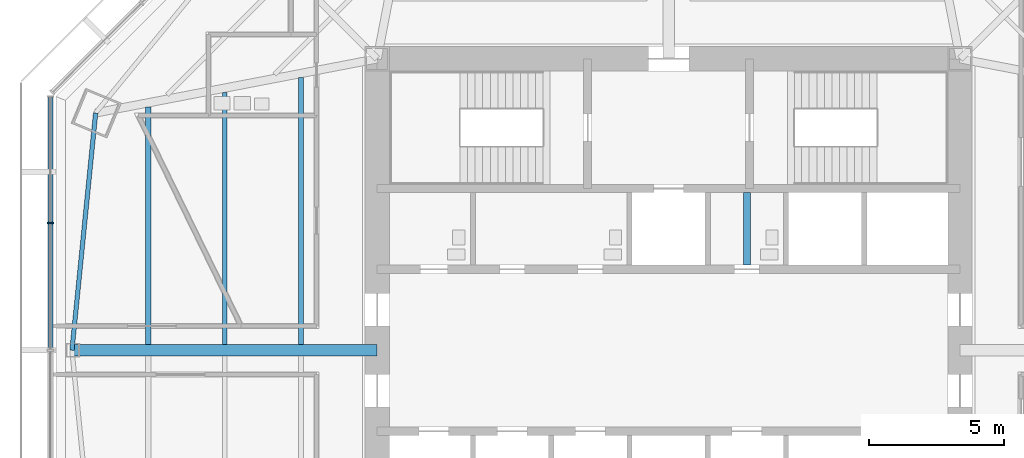
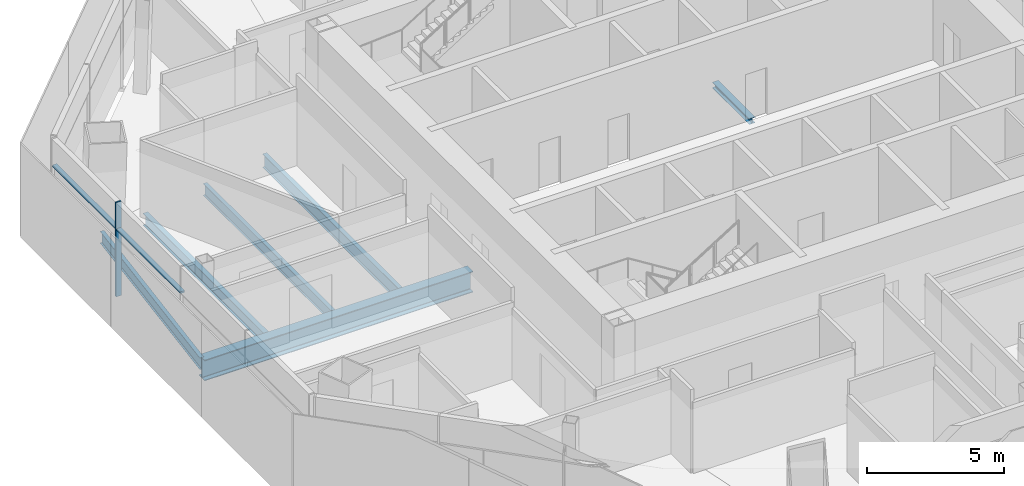
# One storey, part 3 of 14: 6 beams, 3 members, 1 element without a shape of its own.
"""IFC4 building model written with IfcOpenShell, lengths in metres."""

from ifc_helpers import new_model, si_unit, direction, frame, origin, origin_2d, place, context, subcontext, project, spatial, rectangle, i_section, extrude, source, transform, mapped, material, material_profile, profile_set, type_object, type_shapes, element, aggregate, save


model = new_model("IFC4")

# Units and contexts
model_context = context("Model", 3, precision=1e-05, world=origin(), true_north=direction((0.0, 1.0)))
body_context = subcontext(model_context, "Body", "Model", "MODEL_VIEW")
ifc_project = project(units=[si_unit("LENGTHUNIT", "METRE"), si_unit("AREAUNIT", "SQUARE_METRE"), si_unit("VOLUMEUNIT", "CUBIC_METRE"), si_unit("PLANEANGLEUNIT", "RADIAN"), si_unit("MASSUNIT", "GRAM", prefix="KILO")], contexts=[model_context])

# Site, building, storey
site_placement = place(None, origin())
site = spatial("IfcSite", under=ifc_project, at=site_placement, CompositionType="ELEMENT")
building_placement = place(site_placement, origin())
building = spatial("IfcBuilding", under=site, at=building_placement, Name="Mashrafa Tower", CompositionType="ELEMENT")
storey_placement = place(building_placement, frame((0.0, 0.0, 180.60009765625)))
storey = spatial("IfcBuildingStorey", under=building, at=storey_placement, Name="L41", CompositionType="ELEMENT", Elevation=180.60009765625)

# Beams
ifc_material_1 = material(Name="Steel ASTM A992", Category="steel")
ifc_material_profile_1 = material_profile(ifc_material_1, i_section(OverallWidth=0.1650390625, OverallDepth=0.52587890625, WebThickness=0.0087890625, FlangeThickness=0.011474609375, FilletRadius=0.0126953125, at=origin_2d()), Name="W21X44")
ifc_profile_set_1 = profile_set([ifc_material_profile_1], Name="Steel ASTM A992")
beam_type_1 = type_object("IfcBeamType", Name="Beam W21X44", PredefinedType="BEAM", material=ifc_profile_set_1)
beam_1_placement = place(storey_placement, frame((-16.455078125, 0.20947265625, -0.427978515625), z_axis=(0.0, 1.0, 0.0), x_axis=(-1.0, 0.0, 0.0)))
element("IfcBeam", 1, at=beam_1_placement, inside=storey, type_object=beam_type_1, Name="Floor beam L41 005", PredefinedType="BEAM", context=body_context, shape_type="SweptSolid", body=[
    extrude(i_section(OverallWidth=0.1650390625, OverallDepth=0.52587890625, WebThickness=0.0087890625, FlangeThickness=0.011474609375, FilletRadius=0.0126953125, at=origin_2d()), origin(), (0.0, 0.0, 1.0), 9.346923828125),
])
beam_2_placement = place(storey_placement, frame((-21.232421875, 8.794677734375, -0.427978515625), z_axis=(-0.099358767287, -0.99505167472, 0.0), x_axis=(0.99505167472, -0.099358767287, 0.0)))
element("IfcBeam", 2, at=beam_2_placement, inside=storey, type_object=beam_type_1, Name="Spandrel beam L41 059", PredefinedType="BEAM", context=body_context, shape_type="SweptSolid", body=[
    extrude(i_section(OverallWidth=0.1650390625, OverallDepth=0.52587890625, WebThickness=0.0087890625, FlangeThickness=0.011474609375, FilletRadius=0.0126953125, at=origin_2d()), origin(), (0.0, 0.0, 1.0), 8.83837890625),
])
ifc_material_2 = material(Name="Steel ASTM A992", Category="steel")
ifc_material_profile_2 = material_profile(ifc_material_2, i_section(OverallWidth=0.209228515625, OverallDepth=0.533447265625, WebThickness=0.01025390625, FlangeThickness=0.015625, FilletRadius=0.012939453125, at=origin_2d()), Name="W21X62")
ifc_profile_set_2 = profile_set([ifc_material_profile_2], Name="Steel ASTM A992")
beam_type_2 = type_object("IfcBeamType", Name="Beam W21X62", PredefinedType="BEAM", material=ifc_profile_set_2)
beam_3_placement = place(storey_placement, frame((-19.282958984375, 0.20947265625, -0.431884765625), z_axis=(0.0, 1.0, 0.0), x_axis=(-1.0, 0.0, 0.0)))
element("IfcBeam", 3, at=beam_3_placement, inside=storey, type_object=beam_type_2, Name="Floor beam L41 002", PredefinedType="BEAM", context=body_context, shape_type="SweptSolid", body=[
    extrude(i_section(OverallWidth=0.209228515625, OverallDepth=0.533447265625, WebThickness=0.01025390625, FlangeThickness=0.015625, FilletRadius=0.012939453125, at=origin_2d()), origin(), (0.0, 0.0, 1.0), 8.803466796875),
])
ifc_material_3 = material(Name="Steel ASTM A992", Category="steel")
ifc_material_profile_3 = material_profile(ifc_material_3, i_section(OverallWidth=0.177978515625, OverallDepth=0.599365234375, WebThickness=0.010009765625, FlangeThickness=0.012939453125, FilletRadius=0.012939453125, at=origin_2d()), Name="W24X55")
ifc_profile_set_3 = profile_set([ifc_material_profile_3], Name="Steel ASTM A992")
beam_type_3 = type_object("IfcBeamType", Name="Beam W24X55", PredefinedType="BEAM", material=ifc_profile_set_3)
beam_4_placement = place(storey_placement, frame((-13.627685546875, 0.20947265625, -0.46484375), z_axis=(0.0, 1.0, 0.0), x_axis=(-1.0, 0.0, 0.0)))
element("IfcBeam", 4, at=beam_4_placement, inside=storey, type_object=beam_type_3, Name="Floor beam L41 010", PredefinedType="BEAM", context=body_context, shape_type="SweptSolid", body=[
    extrude(i_section(OverallWidth=0.177978515625, OverallDepth=0.599365234375, WebThickness=0.010009765625, FlangeThickness=0.012939453125, FilletRadius=0.012939453125, at=origin_2d()), origin(), (0.0, 0.0, 1.0), 9.890625),
])
ifc_material_4 = material(Name="Steel ASTM A992", Category="steel")
ifc_material_profile_4 = material_profile(ifc_material_4, i_section(OverallWidth=0.419189453125, OverallDepth=0.927001953125, WebThickness=0.019287109375, FlangeThickness=0.031982421875, FilletRadius=0.020263671875, at=origin_2d()), Name="W36X231")
ifc_profile_set_4 = profile_set([ifc_material_profile_4], Name="Steel ASTM A992")
beam_type_4 = type_object("IfcBeamType", Name="Beam W36X231", PredefinedType="BEAM", material=ifc_profile_set_4)
beam_5_placement = place(storey_placement, frame((-10.800048828125, 0.0, -0.628662109375), z_axis=(-1.0, 0.0, 0.0), x_axis=(0.0, -1.0, 0.0)))
element("IfcBeam", 5, at=beam_5_placement, inside=storey, type_object=beam_type_4, Name="Radial girder L41 044", PredefinedType="BEAM", context=body_context, shape_type="SweptSolid", body=[
    extrude(i_section(OverallWidth=0.419189453125, OverallDepth=0.927001953125, WebThickness=0.019287109375, FlangeThickness=0.031982421875, FilletRadius=0.020263671875, at=origin_2d()), origin(), (0.0, 0.0, 1.0), 11.310546875),
])
ifc_material_5 = material(Name="Steel ASTM A992", Category="steel")
ifc_material_profile_5 = material_profile(ifc_material_5, i_section(OverallWidth=0.25390625, OverallDepth=0.25390625, WebThickness=0.008544921875, FlangeThickness=0.01416015625, FilletRadius=0.010009765625, at=origin_2d()), Name="W10X49")
ifc_profile_set_5 = profile_set([ifc_material_profile_5], Name="Steel ASTM A992")
beam_type_5 = type_object("IfcBeamType", Name="Hoistway beam W10X49", PredefinedType="BEAM", material=ifc_profile_set_5)
beam_6_placement = place(storey_placement, frame((2.89990234375, 3.14990234375, -0.2919921875), z_axis=(0.0, 1.0, 0.0), x_axis=(-1.0, 0.0, 0.0)))
element("IfcBeam", 6, at=beam_6_placement, inside=storey, type_object=beam_type_5, Name="Hoistway beam L41 06", PredefinedType="BEAM", context=body_context, shape_type="SweptSolid", body=[
    extrude(i_section(OverallWidth=0.25390625, OverallDepth=0.25390625, WebThickness=0.008544921875, FlangeThickness=0.01416015625, FilletRadius=0.010009765625, at=origin_2d()), origin(), (0.0, 0.0, 1.0), 2.7001953125),
])

# Curtain wall, members
ifc_material_6 = material(Name="Unitised aluminium curtain wall", Category="aluminium")
curtain_wall_type = type_object("IfcCurtainWallType", Name="Office curtain wall, zone 2 CW-B 225 deep", PredefinedType="NOTDEFINED", material=ifc_material_6)
curtain_wall_placement = place(storey_placement, origin())
curtain_wall = element("IfcCurtainWall", 7, at=curtain_wall_placement, inside=storey, type_object=curtain_wall_type, Name="Office curtain wall, zone 2 L41 west", PredefinedType="NOTDEFINED")
ifc_material_7 = material(Name="Extruded aluminium mullion", Category="aluminium")
ifc_material_profile_6 = material_profile(ifc_material_7, rectangle(XDim=0.22509765625, YDim=0.06494140625, at=origin_2d()), Name="Mullion 65x225")
ifc_profile_set_6 = profile_set([ifc_material_profile_6], Name="Extruded aluminium mullion")
member_type_1 = type_object("IfcMemberType", Name="Mullion CW-B 65 x 225", PredefinedType="MULLION", material=ifc_profile_set_6)
shared_shape_1 = source(origin(), body_context, "Body", "SweptSolid", [
    extrude(rectangle(XDim=0.22509765625, YDim=0.06494140625, at=origin_2d()), origin(), (0.0, 0.0, 1.0), 4.199951171875),
])
type_shapes(member_type_1, [shared_shape_1])
member_1_placement = place(storey_placement, frame((-22.90576171875, 4.715576171875, 0.0), z_axis=(0.0, 0.0, 1.0), x_axis=(1.0, 0.0, 0.0)))
member_1 = element("IfcMember", 8, at=member_1_placement, type_object=member_type_1, Name="CW-B mullion 2", PredefinedType="MULLION", context=body_context, shape_type="MappedRepresentation", body=[
    mapped(shared_shape_1, transform((0.0, 0.0, 0.0))),
])
ifc_material_8 = material(Name="Extruded aluminium transom", Category="aluminium")
ifc_material_profile_7 = material_profile(ifc_material_8, rectangle(XDim=0.179931640625, YDim=0.080078125, at=origin_2d()), Name="Transom 80x180")
ifc_profile_set_7 = profile_set([ifc_material_profile_7], Name="Extruded aluminium transom")
member_type_2 = type_object("IfcMemberType", Name="Transom CW-B 80 x 180", PredefinedType="MULLION", material=ifc_profile_set_7)
shared_shape_2 = source(origin(), body_context, "Body", "SweptSolid", [
    extrude(rectangle(XDim=0.179931640625, YDim=0.080078125, at=origin_2d()), origin(), (0.0, 0.0, 1.0), 4.6181640625),
])
member_2_placement = place(storey_placement, frame((-22.90576171875, 9.3662109375, 3.0), z_axis=(0.0, -1.0, 0.0), x_axis=(1.0, 0.0, 0.0)))
member_2 = element("IfcMember", 9, at=member_2_placement, type_object=member_type_2, Name="CW-B transom 1", PredefinedType="MULLION", context=body_context, shape_type="MappedRepresentation", body=[
    mapped(shared_shape_2, transform((0.0, 0.0, 0.0))),
])
shared_shape_3 = source(origin(), body_context, "Body", "SweptSolid", [
    extrude(rectangle(XDim=0.179931640625, YDim=0.080078125, at=origin_2d()), origin(), (0.0, 0.0, 1.0), 4.650634765625),
])
type_shapes(member_type_2, [shared_shape_2, shared_shape_3])
member_3_placement = place(storey_placement, frame((-22.90576171875, 4.68310546875, 3.0), z_axis=(0.0, -1.0, 0.0), x_axis=(1.0, 0.0, 0.0)))
member_3 = element("IfcMember", 10, at=member_3_placement, type_object=member_type_2, Name="CW-B transom 2", PredefinedType="MULLION", context=body_context, shape_type="MappedRepresentation", body=[
    mapped(shared_shape_3, transform((0.0, 0.0, 0.0))),
])
aggregate(curtain_wall, [member_1, member_2, member_3])

save(model, "model.ifc")
